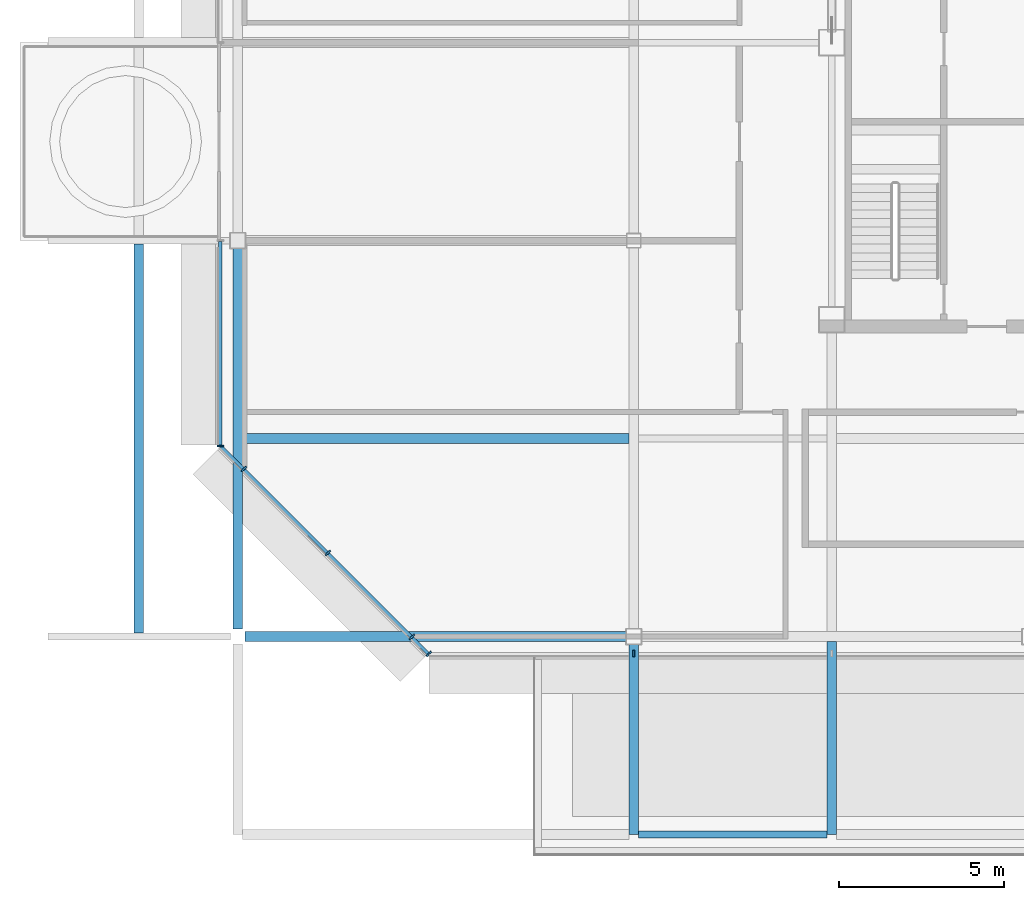
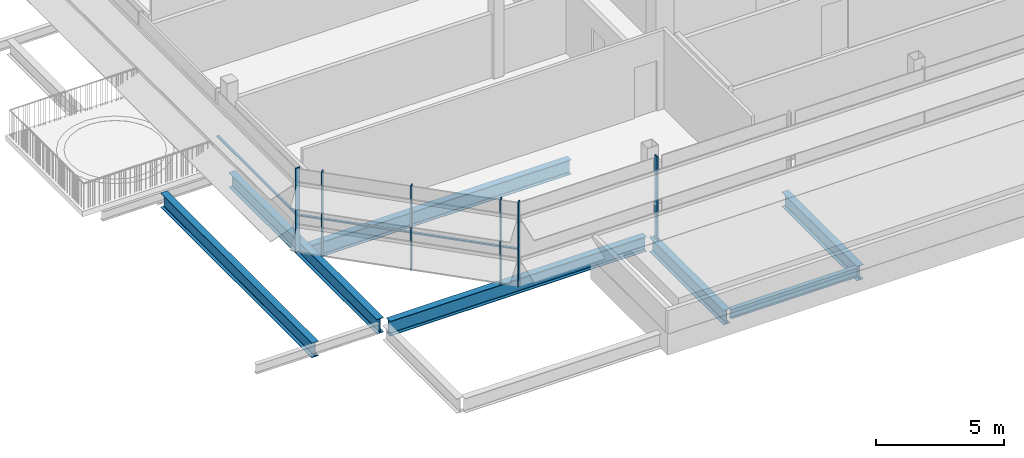
# One storey, part 3 of 26: 8 members, 7 beams, 3 elements without a shape of their own.
"""IFC4 building model written with IfcOpenShell, lengths in metres."""

from ifc_helpers import new_model, si_unit, direction, frame, origin, origin_2d, place, context, subcontext, project, spatial, rectangle, i_section, extrude, material, material_profile, profile_set, type_object, element, aggregate, save


model = new_model("IFC4")

# Units and contexts
model_context = context("Model", 3, precision=1e-05, world=origin(), true_north=direction((0.0, 1.0)))
body_context = subcontext(model_context, "Body", "Model", "MODEL_VIEW")
ifc_project = project(units=[si_unit("LENGTHUNIT", "METRE"), si_unit("AREAUNIT", "SQUARE_METRE"), si_unit("VOLUMEUNIT", "CUBIC_METRE"), si_unit("PLANEANGLEUNIT", "RADIAN"), si_unit("MASSUNIT", "GRAM", prefix="KILO")], contexts=[model_context])

# Site, building, storey
site_placement = place(None, origin())
site = spatial("IfcSite", under=ifc_project, at=site_placement, CompositionType="ELEMENT")
building_placement = place(site_placement, origin())
building = spatial("IfcBuilding", under=site, at=building_placement, Name="Sorahane Residences", CompositionType="ELEMENT")
storey_placement = place(building_placement, frame((0.0, 0.0, 337.800048828125)))
storey = spatial("IfcBuildingStorey", under=building, at=storey_placement, Name="L80", CompositionType="ELEMENT", Elevation=337.800048828125)

# Curtain wall, member
ifc_material_1 = material(Name="Dark low-e glass and black anodised aluminium", Category="aluminium")
curtain_wall_type = type_object("IfcCurtainWallType", Name="Curtain wall CW-6 Crown unitised wall", PredefinedType="NOTDEFINED", material=ifc_material_1)
curtain_wall_1_placement = place(storey_placement, origin())
curtain_wall_1 = element("IfcCurtainWall", 1, at=curtain_wall_1_placement, inside=storey, type_object=curtain_wall_type, Name="CW-6 curtain wall L80 S1", PredefinedType="NOTDEFINED")
ifc_material_2 = material(Name="Black anodised aluminium", Category="aluminium")
ifc_material_profile_1 = material_profile(ifc_material_2, rectangle(XDim=0.199951171875, YDim=0.050048828125, at=origin_2d()), Name="Curtain wall mullion CW-6 black anodised aluminium 50x200")
ifc_profile_set_1 = profile_set([ifc_material_profile_1], Name="Black anodised aluminium")
member_type_1 = type_object("IfcMemberType", Name="Curtain wall mullion CW-6 black anodised aluminium 50x200", PredefinedType="MULLION", material=ifc_profile_set_1)
member_1_placement = place(storey_placement, frame((0.0, 11.47998046875, -0.25), z_axis=(0.0, 0.0, 1.0), x_axis=(0.0, -1.0, 0.0)))
member_1 = element("IfcMember", 2, at=member_1_placement, type_object=member_type_1, Name="CW-6 mullion L80 S1.2", PredefinedType="MULLION", context=body_context, shape_type="SweptSolid", body=[
    extrude(rectangle(XDim=0.199951171875, YDim=0.050048828125, at=origin_2d()), origin(), (0.0, 0.0, 1.0), 4.0),
])
aggregate(curtain_wall_1, [member_1])

curtain_wall_2_placement = place(storey_placement, origin())
curtain_wall_2 = element("IfcCurtainWall", 3, at=curtain_wall_2_placement, inside=storey, type_object=curtain_wall_type, Name="CW-6 curtain wall L80 W1", PredefinedType="NOTDEFINED")
member_2_placement = place(storey_placement, frame((-12.52001953125, 17.7763671875, -0.25), z_axis=(0.0, 0.0, 1.0), x_axis=(-1.0, 0.0, 0.0)))
member_2 = element("IfcMember", 4, at=member_2_placement, type_object=member_type_1, Name="CW-6 mullion L80 W1.6", PredefinedType="MULLION", context=body_context, shape_type="SweptSolid", body=[
    extrude(rectangle(XDim=0.199951171875, YDim=0.050048828125, at=origin_2d()), origin(), (0.0, 0.0, 1.0), 4.0),
])

# Curtain wall, members
curtain_wall_3_placement = place(storey_placement, origin())
curtain_wall_3 = element("IfcCurtainWall", 5, at=curtain_wall_3_placement, inside=storey, type_object=curtain_wall_type, Name="CW-6 curtain wall L80 SW1", PredefinedType="NOTDEFINED")
member_3_placement = place(storey_placement, frame((-11.814208984375, 17.078857421875, -0.25), z_axis=(0.0, 0.0, 1.0), x_axis=(-0.707106781187, -0.707106781187, 0.0)))
member_3 = element("IfcMember", 6, at=member_3_placement, type_object=member_type_1, Name="CW-6 mullion L80 SW1.2", PredefinedType="MULLION", context=body_context, shape_type="SweptSolid", body=[
    extrude(rectangle(XDim=0.199951171875, YDim=0.050048828125, at=origin_2d()), origin(), (0.0, 0.0, 1.0), 4.0),
])
member_4_placement = place(storey_placement, frame((-9.267578125, 14.5322265625, -0.25), z_axis=(0.0, 0.0, 1.0), x_axis=(-0.707106781187, -0.707106781187, 0.0)))
member_4 = element("IfcMember", 7, at=member_4_placement, type_object=member_type_1, Name="CW-6 mullion L80 SW1.3", PredefinedType="MULLION", context=body_context, shape_type="SweptSolid", body=[
    extrude(rectangle(XDim=0.199951171875, YDim=0.050048828125, at=origin_2d()), origin(), (0.0, 0.0, 1.0), 4.0),
])
member_5_placement = place(storey_placement, frame((-6.72119140625, 11.98583984375, -0.25), z_axis=(0.0, 0.0, 1.0), x_axis=(-0.707106781187, -0.707106781187, 0.0)))
member_5 = element("IfcMember", 8, at=member_5_placement, type_object=member_type_1, Name="CW-6 mullion L80 SW1.4", PredefinedType="MULLION", context=body_context, shape_type="SweptSolid", body=[
    extrude(rectangle(XDim=0.199951171875, YDim=0.050048828125, at=origin_2d()), origin(), (0.0, 0.0, 1.0), 4.0),
])
member_6_placement = place(storey_placement, frame((-6.209716796875, 11.474365234375, -0.25), z_axis=(0.0, 0.0, 1.0), x_axis=(-0.707106781187, -0.707106781187, 0.0)))
member_6 = element("IfcMember", 9, at=member_6_placement, type_object=member_type_1, Name="CW-6 mullion L80 SW1.5", PredefinedType="MULLION", context=body_context, shape_type="SweptSolid", body=[
    extrude(rectangle(XDim=0.199951171875, YDim=0.050048828125, at=origin_2d()), origin(), (0.0, 0.0, 1.0), 4.0),
])

# Member
ifc_material_3 = material(Name="Black anodised aluminium", Category="aluminium")
ifc_material_profile_2 = material_profile(ifc_material_3, rectangle(XDim=0.10009765625, YDim=0.06005859375, at=origin_2d()), Name="Curtain wall transom CW-6 black anodised aluminium 60x100")
ifc_profile_set_2 = profile_set([ifc_material_profile_2], Name="Black anodised aluminium")
member_type_2 = type_object("IfcMemberType", Name="Curtain wall transom CW-6 black anodised aluminium 60x100", PredefinedType="USERDEFINED", material=ifc_profile_set_2)
member_7_placement = place(storey_placement, frame((-12.530029296875, 23.97509765625, 1.5), z_axis=(0.0, -1.0, 0.0), x_axis=(1.0, 0.0, 0.0)))
member_7 = element("IfcMember", 10, at=member_7_placement, type_object=member_type_2, Name="CW-6 transom L80 W1.2", ObjectType="TRANSOM", PredefinedType="USERDEFINED", context=body_context, shape_type="SweptSolid", body=[
    extrude(rectangle(XDim=0.10009765625, YDim=0.06005859375, at=origin_2d()), origin(), (0.0, 0.0, 1.0), 6.173583984375),
])

aggregate(curtain_wall_2, [member_2, member_7])

member_8_placement = place(storey_placement, frame((-12.51513671875, 17.765625, 1.5), z_axis=(0.707106781187, -0.707106781187, 0.0), x_axis=(0.707106781187, 0.707106781187, 0.0)))
member_8 = element("IfcMember", 11, at=member_8_placement, type_object=member_type_2, Name="CW-6 transom L80 SW1", ObjectType="TRANSOM", PredefinedType="USERDEFINED", context=body_context, shape_type="SweptSolid", body=[
    extrude(rectangle(XDim=0.10009765625, YDim=0.06005859375, at=origin_2d()), origin(), (0.0, 0.0, 1.0), 8.88232421875),
])

aggregate(curtain_wall_3, [member_3, member_4, member_5, member_6, member_8])

# Beams
ifc_material_4 = material(Name="Steel Q355B", Category="steel")
ifc_material_profile_3 = material_profile(ifc_material_4, i_section(OverallWidth=0.199951171875, OverallDepth=0.449951171875, WebThickness=0.009033203125, FlangeThickness=0.013916015625, FilletRadius=0.02001953125, at=origin_2d()), Name="HN 450x200x9x14")
ifc_profile_set_3 = profile_set([ifc_material_profile_3], Name="Steel Q355B")
beam_type_1 = type_object("IfcBeamType", Name="Steel floor beam HN 450x200x9x14 Q355B", PredefinedType="BEAM", material=ifc_profile_set_3)
beam_1_placement = place(storey_placement, frame((0.14990234375, 6.0, -0.47509765625), z_axis=(1.0, 0.0, 0.0), x_axis=(0.0, 1.0, 0.0)))
element("IfcBeam", 12, at=beam_1_placement, inside=storey, type_object=beam_type_1, Name="Beam L80 052", PredefinedType="BEAM", context=body_context, shape_type="SweptSolid", body=[
    extrude(i_section(OverallWidth=0.199951171875, OverallDepth=0.449951171875, WebThickness=0.009033203125, FlangeThickness=0.013916015625, FilletRadius=0.02001953125, at=origin_2d()), origin(), (0.0, 0.0, 1.0), 5.7001953125),
])
ifc_material_5 = material(Name="Steel Q355B", Category="steel")
ifc_material_profile_4 = material_profile(ifc_material_5, i_section(OverallWidth=0.300048828125, OverallDepth=0.699951171875, WebThickness=0.012939453125, FlangeThickness=0.02392578125, FilletRadius=0.028076171875, at=origin_2d()), Name="HN 700x300x13x24")
ifc_profile_set_4 = profile_set([ifc_material_profile_4], Name="Steel Q355B")
beam_type_2 = type_object("IfcBeamType", Name="Steel floor beam HN 700x300x13x24 Q355B", PredefinedType="BEAM", material=ifc_profile_set_4)
for number, where, z_axis, x_axis, name in (
    (13, (-11.77490234375, 12.0, -0.60009765625), (1.0, 0.0, 0.0), (0.0, 1.0, 0.0), "Beam L80 001"),
    (14, (-12.0, 12.22509765625, -0.60009765625), (0.0, 1.0, 0.0), (-1.0, 0.0, 0.0), "Beam L80 014"),
):
    element("IfcBeam", number, at=place(storey_placement, frame(where, z_axis=z_axis, x_axis=x_axis)), inside=storey, type_object=beam_type_2, Name=name, PredefinedType="BEAM", context=body_context, shape_type="SweptSolid", body=[
        extrude(i_section(OverallWidth=0.300048828125, OverallDepth=0.699951171875, WebThickness=0.012939453125, FlangeThickness=0.02392578125, FilletRadius=0.028076171875, at=origin_2d()), origin(), (0.0, 0.0, 1.0), 11.5498046875),
    ])
beam_2_placement = place(storey_placement, frame((0.0, 6.0, -0.60009765625), z_axis=(0.0, 1.0, 0.0), x_axis=(-1.0, 0.0, 0.0)))
element("IfcBeam", 15, at=beam_2_placement, inside=storey, type_object=beam_type_2, Name="Beam L80 021", PredefinedType="BEAM", context=body_context, shape_type="SweptSolid", body=[
    extrude(i_section(OverallWidth=0.300048828125, OverallDepth=0.699951171875, WebThickness=0.012939453125, FlangeThickness=0.02392578125, FilletRadius=0.028076171875, at=origin_2d()), origin(), (0.0, 0.0, 1.0), 5.77490234375),
])
beam_3_placement = place(storey_placement, frame((6.0, 6.0, -0.60009765625), z_axis=(0.0, 1.0, 0.0), x_axis=(-1.0, 0.0, 0.0)))
element("IfcBeam", 16, at=beam_3_placement, inside=storey, type_object=beam_type_2, Name="Beam L80 027", PredefinedType="BEAM", context=body_context, shape_type="SweptSolid", body=[
    extrude(i_section(OverallWidth=0.300048828125, OverallDepth=0.699951171875, WebThickness=0.012939453125, FlangeThickness=0.02392578125, FilletRadius=0.028076171875, at=origin_2d()), origin(), (0.0, 0.0, 1.0), 5.85009765625),
])
beam_4_placement = place(storey_placement, frame((-11.85009765625, 18.0, -0.60009765625), z_axis=(1.0, 0.0, 0.0), x_axis=(0.0, 1.0, 0.0)))
element("IfcBeam", 17, at=beam_4_placement, inside=storey, type_object=beam_type_2, Name="Beam L80 056", PredefinedType="BEAM", context=body_context, shape_type="SweptSolid", body=[
    extrude(i_section(OverallWidth=0.300048828125, OverallDepth=0.699951171875, WebThickness=0.012939453125, FlangeThickness=0.02392578125, FilletRadius=0.028076171875, at=origin_2d()), origin(), (0.0, 0.0, 1.0), 11.7001953125),
])
beam_5_placement = place(storey_placement, frame((-15.0, 12.10009765625, -0.60009765625), z_axis=(0.0, 1.0, 0.0), x_axis=(-1.0, 0.0, 0.0)))
element("IfcBeam", 18, at=beam_5_placement, inside=storey, type_object=beam_type_2, Name="Beam L80 067", PredefinedType="BEAM", context=body_context, shape_type="SweptSolid", body=[
    extrude(i_section(OverallWidth=0.300048828125, OverallDepth=0.699951171875, WebThickness=0.012939453125, FlangeThickness=0.02392578125, FilletRadius=0.028076171875, at=origin_2d()), origin(), (0.0, 0.0, 1.0), 11.7998046875),
])

save(model, "model.ifc")
